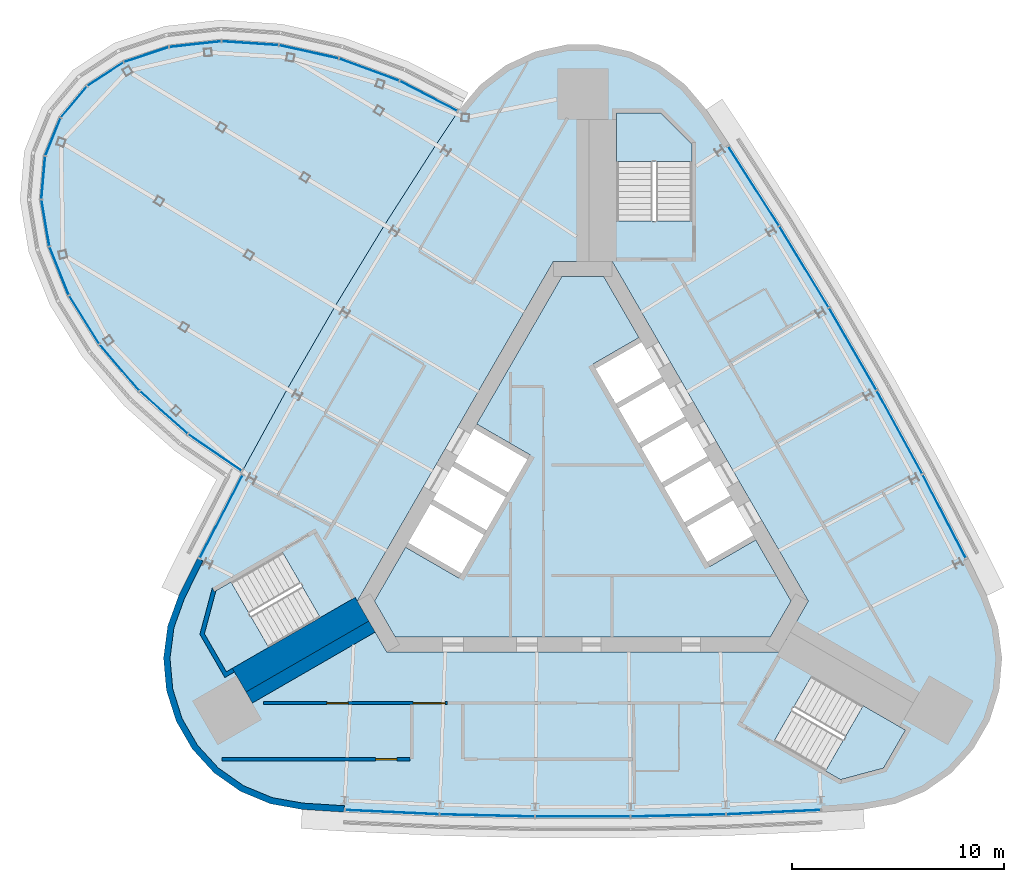
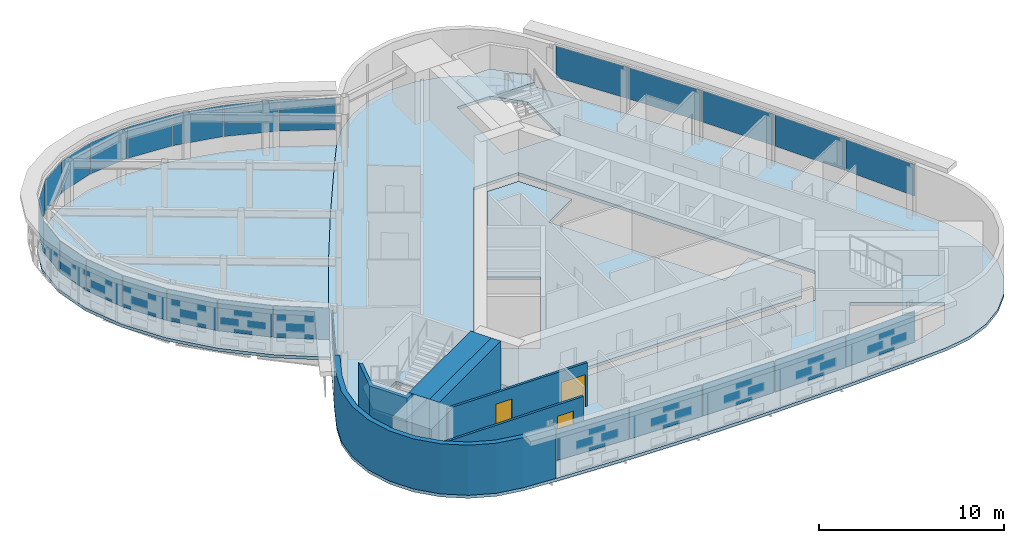
# One storey, part 8 of 13: 27 plates, 6 slabs, 6 walls, 3 doors, 3 openings, 7 elements without a shape of their own.
"""IFC4 building model written with IfcOpenShell, lengths in metres."""

from ifc_helpers import new_model, si_unit, direction, frame, frame_2d, origin, origin_2d, place, context, subcontext, project, spatial, polyline, rectangle, outline, extrude, material, layer, layer_set, type_object, element, fill, aggregate, save


model = new_model("IFC4")

# Units and contexts
model_context = context("Model", 3, precision=1e-05, world=origin(), true_north=direction((0.0, 1.0)))
body_context = subcontext(model_context, "Body", "Model", "MODEL_VIEW")
ifc_project = project(units=[si_unit("LENGTHUNIT", "METRE"), si_unit("AREAUNIT", "SQUARE_METRE"), si_unit("VOLUMEUNIT", "CUBIC_METRE"), si_unit("PLANEANGLEUNIT", "RADIAN"), si_unit("MASSUNIT", "GRAM", prefix="KILO")], contexts=[model_context])

# Site, building, storey
site_placement = place(None, origin())
site = spatial("IfcSite", under=ifc_project, at=site_placement, CompositionType="ELEMENT")
building_placement = place(site_placement, origin())
building = spatial("IfcBuilding", under=site, at=building_placement, Name="Noor Cloister Tower", CompositionType="ELEMENT")
storey_placement = place(building_placement, frame((0.0, 0.0, 270.60009765625)))
storey = spatial("IfcBuildingStorey", under=building, at=storey_placement, Name="L69", CompositionType="ELEMENT", Elevation=270.60009765625)

# Slabs
ifc_material_1 = material(Name="Concrete C40/50", Category="concrete")
ifc_layer_1 = layer(ifc_material_1, 0.199951171875)
ifc_layer_set_1 = layer_set([ifc_layer_1], Name="Core floor slab 200 C40/50")
slab_type_1 = type_object("IfcSlabType", Name="Core floor slab 200 C40/50", PredefinedType="FLOOR", material=ifc_layer_set_1)
slab_1_placement = place(storey_placement, frame((0.0, 0.0, -0.2001953125)))
element("IfcSlab", 1, at=slab_1_placement, inside=storey, type_object=slab_type_1, Name="Core floor L69", PredefinedType="FLOOR", context=body_context, shape_type="SweptSolid", body=[
    extrude(outline(polyline([(2.643798828125, 7.877197265625), (0.9814453125, 10.75634765625), (-0.9814453125, 10.75634765625), (-4.993896484375, 3.806884765625), (-2.482421875, 2.35693359375), (-5.832275390625, -3.4453125), (-8.34375, -1.995361328125), (-9.80615234375, -4.5283203125), (-8.82470703125, -6.228271484375), (8.82470703125, -6.228271484375), (9.80615234375, -4.5283203125), (8.143798828125, -1.64892578125), (5.978759765625, -2.89892578125), (0.478759765625, 6.627197265625), (2.643798828125, 7.877197265625)])), origin(), (0.0, 0.0, 1.0), 0.2001953125),
])
ifc_material_2 = material(Name="Concrete C40/50", Category="concrete")
ifc_layer_2 = layer(ifc_material_2, 0.199951171875)
ifc_layer_set_2 = layer_set([ifc_layer_2], Name="Floor slab 200 C40/50")
slab_type_2 = type_object("IfcSlabType", Name="Floor slab 200 C40/50", PredefinedType="FLOOR", material=ifc_layer_set_2)
slab_2_placement = place(storey_placement, frame((0.0, 0.0, -0.2001953125)))
element("IfcSlab", 2, at=slab_2_placement, inside=storey, type_object=slab_type_2, Name="Floor slab L69", PredefinedType="FLOOR", context=body_context, shape_type="SweptSolid", body=[
    extrude(outline(polyline([(5.809814453125, 18.609619140625), (4.830078125, 19.771484375), (3.62255859375, 20.69482421875), (2.244140625, 21.33544921875), (0.760009765625, 21.66357421875), (-0.760009765625, 21.66357421875), (-2.244140625, 21.33544921875), (-3.62255859375, 20.69482421875), (-4.830078125, 19.771484375), (-5.809814453125, 18.609619140625), (-6.9013671875, 16.967529296875), (-9.32958984375, 13.178955078125), (-11.669189453125, 9.335205078125), (-13.919189453125, 5.438232421875), (-16.078125, 1.489990234375), (-18.14501953125, -2.507080078125), (-19.021240234375, -4.2734375), (-19.53759765625, -5.702880859375), (-19.7333984375, -7.210205078125), (-19.59912109375, -8.724365234375), (-19.14111328125, -10.173583984375), (-18.381103515625, -11.489990234375), (-17.35498046875, -12.611083984375), (-16.11083984375, -13.484619140625), (-14.707763671875, -14.068603515625), (-13.21142578125, -14.336181640625), (-11.24365234375, -14.46044921875), (-6.74853515625, -14.669189453125), (-2.25, -14.7734375), (2.25, -14.7734375), (6.74853515625, -14.669189453125), (11.24365234375, -14.46044921875), (13.21142578125, -14.336181640625), (14.707763671875, -14.068603515625), (16.11083984375, -13.484619140625), (17.35498046875, -12.611083984375), (18.381103515625, -11.489990234375), (19.14111328125, -10.173583984375), (19.59912109375, -8.724365234375), (19.7333984375, -7.210205078125), (19.53759765625, -5.702880859375), (19.021240234375, -4.2734375), (18.14501953125, -2.507080078125), (16.078125, 1.489990234375), (13.919189453125, 5.438232421875), (11.669189453125, 9.335205078125), (9.32958984375, 13.178955078125), (6.9013671875, 16.967529296875), (5.809814453125, 18.609619140625)]), holes=[polyline([(8.999755859375, -11.126220703125), (12.131591796875, -12.934326171875), (14.1572265625, -12.3916015625), (15.19091796875, -10.601318359375), (10.774658203125, -8.0517578125), (8.999755859375, -11.126220703125)]), polyline([(-17.81005859375, -6.064697265625), (-16.776611328125, -7.85498046875), (-12.3603515625, -5.305419921875), (-14.13525390625, -2.23095703125), (-16.662841796875, -3.690185546875), (-17.267333984375, -4.039306640625), (-17.81005859375, -6.064697265625)]), polyline([(-10.6142578125, -4.5283203125), (-9.228759765625, -6.92822265625), (9.228759765625, -6.92822265625), (10.6142578125, -4.5283203125), (1.3857421875, 11.456298828125), (-1.3857421875, 11.456298828125), (-10.6142578125, -4.5283203125)]), polyline([(3.65283203125, 18.456298828125), (1.585693359375, 18.456298828125), (1.585693359375, 13.35693359375), (5.135498046875, 13.35693359375), (5.135498046875, 16.9736328125), (3.65283203125, 18.456298828125)])]), origin(), (0.0, 0.0, 1.0), 0.2001953125),
])

# Curtain wall, plate
ifc_material_3 = material(Name="Aluminium 6063-T6 anodised", Category="aluminium")
curtain_wall_type_1 = type_object("IfcCurtainWallType", Name="Ribbon curtain wall, upper tower CW5", PredefinedType="NOTDEFINED", material=ifc_material_3)
curtain_wall_1_placement = place(storey_placement, origin())
curtain_wall_1 = element("IfcCurtainWall", 3, at=curtain_wall_1_placement, inside=storey, type_object=curtain_wall_type_1, Name="CW5 L69 NW run 2", PredefinedType="NOTDEFINED")
ifc_material_4 = material(Name="Clear laminated glass 2 x 8 mm", Category="glass")
ifc_layer_3 = layer(ifc_material_4, 0.028076171875)
ifc_layer_set_3 = layer_set([ifc_layer_3], Name="Glass panel CW5")
plate_type_1 = type_object("IfcPlateType", Name="Glass panel CW5", PredefinedType="CURTAIN_PANEL", material=ifc_layer_set_3)
plate_1_placement = place(storey_placement, frame((-17.022705078125, -0.554443359375, 1.08984375), z_axis=(0.0, 0.0, 1.0), x_axis=(-0.459306247842, -0.888277980529, 0.0)))
plate_1 = element("IfcPlate", 4, at=plate_1_placement, type_object=plate_type_1, Name="CW5 glass panel 1", PredefinedType="CURTAIN_PANEL", context=body_context, shape_type="SweptSolid", body=[
    extrude(rectangle(XDim=4.3798828125, YDim=0.028076171875, at=origin_2d()), origin(), (0.0, 0.0, 1.0), 2.070068359375),
])
aggregate(curtain_wall_1, [plate_1])

# Curtain wall, plates
curtain_wall_2_placement = place(storey_placement, origin())
curtain_wall_2 = element("IfcCurtainWall", 5, at=curtain_wall_2_placement, inside=storey, type_object=curtain_wall_type_1, Name="CW5 L69 S run 3", PredefinedType="NOTDEFINED")
plate_2_placement = place(storey_placement, frame((-8.974609375, -14.465576171875, 1.08984375), z_axis=(0.0, 0.0, 1.0), x_axis=(0.998924420682, -0.046368111516, 0.0)))
plate_2 = element("IfcPlate", 6, at=plate_2_placement, type_object=plate_type_1, Name="CW5 glass panel 1", PredefinedType="CURTAIN_PANEL", context=body_context, shape_type="SweptSolid", body=[
    extrude(rectangle(XDim=4.413818359375, YDim=0.028076171875, at=origin_2d()), origin(), (0.0, 0.0, 1.0), 2.070068359375),
])
plate_3_placement = place(storey_placement, frame((-4.4970703125, -14.621337890625, 1.08984375), z_axis=(0.0, 0.0, 1.0), x_axis=(0.999731069009, -0.023190292346, 0.0)))
plate_3 = element("IfcPlate", 7, at=plate_3_placement, type_object=plate_type_1, Name="CW5 glass panel 2", PredefinedType="CURTAIN_PANEL", context=body_context, shape_type="SweptSolid", body=[
    extrude(rectangle(XDim=4.447509765625, YDim=0.028076171875, at=origin_2d()), origin(), (0.0, 0.0, 1.0), 2.070068359375),
])
plate_4_placement = place(storey_placement, frame((0.0, -14.673583984375, 1.08984375), z_axis=(0.0, 0.0, 1.0), x_axis=(1.0, 0.0, 0.0)))
plate_4 = element("IfcPlate", 8, at=plate_4_placement, type_object=plate_type_1, Name="CW5 glass panel 3", PredefinedType="CURTAIN_PANEL", context=body_context, shape_type="SweptSolid", body=[
    extrude(rectangle(XDim=4.447509765625, YDim=0.028076171875, at=origin_2d()), origin(), (0.0, 0.0, 1.0), 2.070068359375),
])
plate_5_placement = place(storey_placement, frame((4.4970703125, -14.621337890625, 1.08984375), z_axis=(0.0, 0.0, 1.0), x_axis=(0.999731069009, 0.023190292346, 0.0)))
plate_5 = element("IfcPlate", 9, at=plate_5_placement, type_object=plate_type_1, Name="CW5 glass panel 4", PredefinedType="CURTAIN_PANEL", context=body_context, shape_type="SweptSolid", body=[
    extrude(rectangle(XDim=4.447509765625, YDim=0.028076171875, at=origin_2d()), origin(), (0.0, 0.0, 1.0), 2.070068359375),
])
plate_6_placement = place(storey_placement, frame((8.974609375, -14.465576171875, 1.08984375), z_axis=(0.0, 0.0, 1.0), x_axis=(0.998924420682, 0.046368111516, 0.0)))
plate_6 = element("IfcPlate", 10, at=plate_6_placement, type_object=plate_type_1, Name="CW5 glass panel 5", PredefinedType="CURTAIN_PANEL", context=body_context, shape_type="SweptSolid", body=[
    extrude(rectangle(XDim=4.413818359375, YDim=0.028076171875, at=origin_2d()), origin(), (0.0, 0.0, 1.0), 2.070068359375),
])
aggregate(curtain_wall_2, [plate_2, plate_3, plate_4, plate_5, plate_6])

curtain_wall_3_placement = place(storey_placement, origin())
curtain_wall_3 = element("IfcCurtainWall", 11, at=curtain_wall_3_placement, inside=storey, type_object=curtain_wall_type_1, Name="CW5 L69 NE run 4", PredefinedType="NOTDEFINED")
plate_7_placement = place(storey_placement, frame((17.014892578125, -0.539306640625, 1.08984375), z_axis=(0.0, 0.0, 1.0), x_axis=(-0.459306247842, 0.888277980529, 0.0)))
plate_7 = element("IfcPlate", 12, at=plate_7_placement, type_object=plate_type_1, Name="CW5 glass panel 1", PredefinedType="CURTAIN_PANEL", context=body_context, shape_type="SweptSolid", body=[
    extrude(rectangle(XDim=4.413818359375, YDim=0.028076171875, at=origin_2d()), origin(), (0.0, 0.0, 1.0), 2.070068359375),
])
plate_8_placement = place(storey_placement, frame((14.910888671875, 3.416259765625, 1.08984375), z_axis=(0.0, 0.0, 1.0), x_axis=(-0.479782152211, 0.877387648887, 0.0)))
plate_8 = element("IfcPlate", 13, at=plate_8_placement, type_object=plate_type_1, Name="CW5 glass panel 2", PredefinedType="CURTAIN_PANEL", context=body_context, shape_type="SweptSolid", body=[
    extrude(rectangle(XDim=4.447509765625, YDim=0.028076171875, at=origin_2d()), origin(), (0.0, 0.0, 1.0), 2.070068359375),
])
plate_9_placement = place(storey_placement, frame((12.70751953125, 7.336669921875, 1.08984375), z_axis=(0.0, 0.0, 1.0), x_axis=(-0.5, 0.866025403784, 0.0)))
plate_9 = element("IfcPlate", 14, at=plate_9_placement, type_object=plate_type_1, Name="CW5 glass panel 3", PredefinedType="CURTAIN_PANEL", context=body_context, shape_type="SweptSolid", body=[
    extrude(rectangle(XDim=4.447509765625, YDim=0.028076171875, at=origin_2d()), origin(), (0.0, 0.0, 1.0), 2.070068359375),
])
plate_10_placement = place(storey_placement, frame((10.4140625, 11.205078125, 1.08984375), z_axis=(0.0, 0.0, 1.0), x_axis=(-0.519948916797, 0.854197356541, 0.0)))
plate_10 = element("IfcPlate", 15, at=plate_10_placement, type_object=plate_type_1, Name="CW5 glass panel 4", PredefinedType="CURTAIN_PANEL", context=body_context, shape_type="SweptSolid", body=[
    extrude(rectangle(XDim=4.447509765625, YDim=0.028076171875, at=origin_2d()), origin(), (0.0, 0.0, 1.0), 2.070068359375),
])
plate_11_placement = place(storey_placement, frame((8.040283203125, 15.005126953125, 1.08984375), z_axis=(0.0, 0.0, 1.0), x_axis=(-0.539618172839, 0.841909869013, 0.0)))
plate_11 = element("IfcPlate", 16, at=plate_11_placement, type_object=plate_type_1, Name="CW5 glass panel 5", PredefinedType="CURTAIN_PANEL", context=body_context, shape_type="SweptSolid", body=[
    extrude(rectangle(XDim=4.413818359375, YDim=0.028076171875, at=origin_2d()), origin(), (0.0, 0.0, 1.0), 2.070068359375),
])
aggregate(curtain_wall_3, [plate_7, plate_8, plate_9, plate_10, plate_11])

ifc_material_5 = material(Name="Aluminium 6063-T6 anodised", Category="aluminium")
curtain_wall_type_2 = type_object("IfcCurtainWallType", Name="Sky bar curtain wall, upper bars CW6", PredefinedType="NOTDEFINED", material=ifc_material_5)
curtain_wall_4_placement = place(storey_placement, origin())
curtain_wall_4 = element("IfcCurtainWall", 17, at=curtain_wall_4_placement, inside=storey, type_object=curtain_wall_type_2, Name="CW6 L69 NW sky bar run 1", PredefinedType="NOTDEFINED")
ifc_material_6 = material(Name="Clear laminated glass 2 x 8 mm", Category="glass")
ifc_layer_4 = layer(ifc_material_6, 0.028076171875)
ifc_layer_set_4 = layer_set([ifc_layer_4], Name="Glass panel CW6")
plate_type_2 = type_object("IfcPlateType", Name="Glass panel CW6", PredefinedType="CURTAIN_PANEL", material=ifc_layer_set_4)
plate_12_placement = place(storey_placement, frame((-7.25634765625, 19.248046875, 1.08984375), z_axis=(0.0, 0.0, 1.0), x_axis=(-0.887497668843, 0.46081220448, 0.0)))
plate_12 = element("IfcPlate", 18, at=plate_12_placement, type_object=plate_type_2, Name="CW6 glass panel 1", PredefinedType="CURTAIN_PANEL", context=body_context, shape_type="SweptSolid", body=[
    extrude(rectangle(XDim=3.035888671875, YDim=0.028076171875, at=origin_2d()), origin(), (0.0, 0.0, 1.0), 2.070068359375),
])
plate_13_placement = place(storey_placement, frame((-10.052734375, 20.485107421875, 1.08984375), z_axis=(0.0, 0.0, 1.0), x_axis=(-0.938254127528, 0.345946805414, 0.0)))
plate_13 = element("IfcPlate", 19, at=plate_13_placement, type_object=plate_type_2, Name="CW6 glass panel 2", PredefinedType="CURTAIN_PANEL", context=body_context, shape_type="SweptSolid", body=[
    extrude(rectangle(XDim=2.991455078125, YDim=0.028076171875, at=origin_2d()), origin(), (0.0, 0.0, 1.0), 2.070068359375),
])
plate_14_placement = place(storey_placement, frame((-12.89599609375, 21.32568359375, 1.08984375), z_axis=(0.0, 0.0, 1.0), x_axis=(-0.976240868082, 0.21668818031, 0.0)))
plate_14 = element("IfcPlate", 20, at=plate_14_placement, type_object=plate_type_2, Name="CW6 glass panel 3", PredefinedType="CURTAIN_PANEL", context=body_context, shape_type="SweptSolid", body=[
    extrude(rectangle(XDim=2.851318359375, YDim=0.028076171875, at=origin_2d()), origin(), (0.0, 0.0, 1.0), 2.070068359375),
])
plate_15_placement = place(storey_placement, frame((-15.6630859375, 21.730712890625, 1.08984375), z_axis=(0.0, 0.0, 1.0), x_axis=(-0.997749888553, 0.067045953586, 0.0)))
plate_15 = element("IfcPlate", 21, at=plate_15_placement, type_object=plate_type_2, Name="CW6 glass panel 4", PredefinedType="CURTAIN_PANEL", context=body_context, shape_type="SweptSolid", body=[
    extrude(rectangle(XDim=2.6572265625, YDim=0.028076171875, at=origin_2d()), origin(), (0.0, 0.0, 1.0), 2.070068359375),
])
plate_16_placement = place(storey_placement, frame((-18.24609375, 21.685791015625, 1.08984375), z_axis=(0.0, 0.0, 1.0), x_axis=(-0.993990018524, -0.109470740724, 0.0)))
plate_16 = element("IfcPlate", 22, at=plate_16_placement, type_object=plate_type_2, Name="CW6 glass panel 5", PredefinedType="CURTAIN_PANEL", context=body_context, shape_type="SweptSolid", body=[
    extrude(rectangle(XDim=2.4296875, YDim=0.028076171875, at=origin_2d()), origin(), (0.0, 0.0, 1.0), 2.070068359375),
])
plate_17_placement = place(storey_placement, frame((-20.545166015625, 21.194091796875, 1.08984375), z_axis=(0.0, 0.0, 1.0), x_axis=(-0.948576733439, -0.316547280479, 0.0)))
plate_17 = element("IfcPlate", 23, at=plate_17_placement, type_object=plate_type_2, Name="CW6 glass panel 6", PredefinedType="CURTAIN_PANEL", context=body_context, shape_type="SweptSolid", body=[
    extrude(rectangle(XDim=2.198486328125, YDim=0.028076171875, at=origin_2d()), origin(), (0.0, 0.0, 1.0), 2.070068359375),
])
plate_18_placement = place(storey_placement, frame((-22.47216796875, 20.277099609375, 1.08984375), z_axis=(0.0, 0.0, 1.0), x_axis=(-0.837596619091, -0.546289212493, 0.0)))
plate_18 = element("IfcPlate", 24, at=plate_18_placement, type_object=plate_type_2, Name="CW6 glass panel 7", PredefinedType="CURTAIN_PANEL", context=body_context, shape_type="SweptSolid", body=[
    extrude(rectangle(XDim=2.003662109375, YDim=0.028076171875, at=origin_2d()), origin(), (0.0, 0.0, 1.0), 2.070068359375),
])
plate_19_placement = place(storey_placement, frame((-23.955322265625, 18.971923828125, 1.08984375), z_axis=(0.0, 0.0, 1.0), x_axis=(-0.641814933059, -0.766859564524, 0.0)))
plate_19 = element("IfcPlate", 25, at=plate_19_placement, type_object=plate_type_2, Name="CW6 glass panel 8", PredefinedType="CURTAIN_PANEL", context=body_context, shape_type="SweptSolid", body=[
    extrude(rectangle(XDim=1.889892578125, YDim=0.028076171875, at=origin_2d()), origin(), (0.0, 0.0, 1.0), 2.070068359375),
])
plate_20_placement = place(storey_placement, frame((-24.94140625, 17.327880859375, 1.08984375), z_axis=(0.0, 0.0, 1.0), x_axis=(-0.374343937859, -0.927289931029, 0.0)))
plate_20 = element("IfcPlate", 26, at=plate_20_placement, type_object=plate_type_2, Name="CW6 glass panel 9", PredefinedType="CURTAIN_PANEL", context=body_context, shape_type="SweptSolid", body=[
    extrude(rectangle(XDim=1.889892578125, YDim=0.028076171875, at=origin_2d()), origin(), (0.0, 0.0, 1.0), 2.070068359375),
])
plate_21_placement = place(storey_placement, frame((-25.394775390625, 15.40478515625, 1.08984375), z_axis=(0.0, 0.0, 1.0), x_axis=(-0.087570690392, -0.996158307793, 0.0)))
plate_21 = element("IfcPlate", 27, at=plate_21_placement, type_object=plate_type_2, Name="CW6 glass panel 10", PredefinedType="CURTAIN_PANEL", context=body_context, shape_type="SweptSolid", body=[
    extrude(rectangle(XDim=2.003662109375, YDim=0.028076171875, at=origin_2d()), origin(), (0.0, 0.0, 1.0), 2.070068359375),
])
plate_22_placement = place(storey_placement, frame((-25.29638671875, 13.27294921875, 1.08984375), z_axis=(0.0, 0.0, 1.0), x_axis=(0.167365795308, -0.985894867905, 0.0)))
plate_22 = element("IfcPlate", 28, at=plate_22_placement, type_object=plate_type_2, Name="CW6 glass panel 11", PredefinedType="CURTAIN_PANEL", context=body_context, shape_type="SweptSolid", body=[
    extrude(rectangle(XDim=2.198486328125, YDim=0.028076171875, at=origin_2d()), origin(), (0.0, 0.0, 1.0), 2.070068359375),
])
plate_23_placement = place(storey_placement, frame((-24.647705078125, 11.01318359375, 1.08984375), z_axis=(0.0, 0.0, 1.0), x_axis=(0.371434842815, -0.928459023082, 0.0)))
plate_23 = element("IfcPlate", 29, at=plate_23_placement, type_object=plate_type_2, Name="CW6 glass panel 12", PredefinedType="CURTAIN_PANEL", context=body_context, shape_type="SweptSolid", body=[
    extrude(rectangle(XDim=2.4296875, YDim=0.028076171875, at=origin_2d()), origin(), (0.0, 0.0, 1.0), 2.070068359375),
])
plate_24_placement = place(storey_placement, frame((-23.470947265625, 8.713134765625, 1.08984375), z_axis=(0.0, 0.0, 1.0), x_axis=(0.528931307752, -0.848664640291, 0.0)))
plate_24 = element("IfcPlate", 30, at=plate_24_placement, type_object=plate_type_2, Name="CW6 glass panel 13", PredefinedType="CURTAIN_PANEL", context=body_context, shape_type="SweptSolid", body=[
    extrude(rectangle(XDim=2.6572265625, YDim=0.028076171875, at=origin_2d()), origin(), (0.0, 0.0, 1.0), 2.070068359375),
])
plate_25_placement = place(storey_placement, frame((-21.810791015625, 6.462890625, 1.08984375), z_axis=(0.0, 0.0, 1.0), x_axis=(0.650820994829, -0.759231211615, 0.0)))
plate_25 = element("IfcPlate", 31, at=plate_25_placement, type_object=plate_type_2, Name="CW6 glass panel 14", PredefinedType="CURTAIN_PANEL", context=body_context, shape_type="SweptSolid", body=[
    extrude(rectangle(XDim=2.851318359375, YDim=0.028076171875, at=origin_2d()), origin(), (0.0, 0.0, 1.0), 2.070068359375),
])
plate_26_placement = place(storey_placement, frame((-19.730712890625, 4.35009765625, 1.08984375), z_axis=(0.0, 0.0, 1.0), x_axis=(0.746969510191, -0.664858293808, 0.0)))
plate_26 = element("IfcPlate", 32, at=plate_26_placement, type_object=plate_type_2, Name="CW6 glass panel 15", PredefinedType="CURTAIN_PANEL", context=body_context, shape_type="SweptSolid", body=[
    extrude(rectangle(XDim=2.991455078125, YDim=0.028076171875, at=origin_2d()), origin(), (0.0, 0.0, 1.0), 2.070068359375),
])
plate_27_placement = place(storey_placement, frame((-17.322509765625, 2.465576171875, 1.08984375), z_axis=(0.0, 0.0, 1.0), x_axis=(0.824407561067, -0.565996619473, 0.0)))
plate_27 = element("IfcPlate", 33, at=plate_27_placement, type_object=plate_type_2, Name="CW6 glass panel 16", PredefinedType="CURTAIN_PANEL", context=body_context, shape_type="SweptSolid", body=[
    extrude(rectangle(XDim=3.035888671875, YDim=0.028076171875, at=origin_2d()), origin(), (0.0, 0.0, 1.0), 2.070068359375),
])
aggregate(curtain_wall_4, [plate_12, plate_13, plate_14, plate_15, plate_16, plate_17, plate_18, plate_19, plate_20, plate_21, plate_22, plate_23, plate_24, plate_25, plate_26, plate_27])

# Slab
ifc_material_7 = material(Name="Concrete C40/50", Category="concrete")
ifc_layer_5 = layer(ifc_material_7, 0.199951171875)
ifc_layer_set_5 = layer_set([ifc_layer_5], Name="Pod floor slab 200")
slab_type_3 = type_object("IfcSlabType", Name="Pod floor slab 200", PredefinedType="FLOOR", material=ifc_layer_set_5)
slab_3_placement = place(storey_placement, frame((0.0, 0.0, -0.2001953125)))
element("IfcSlab", 34, at=slab_3_placement, inside=storey, type_object=slab_type_3, Name="Pod floor slab L69", PredefinedType="FLOOR", context=body_context, shape_type="SweptSolid", body=[
    extrude(outline(polyline([(-5.809814453125, 18.609619140625), (-8.585205078125, 20.05078125), (-11.451416015625, 21.107421875), (-14.298095703125, 21.7392578125), (-17.015869140625, 21.921875), (-19.500244140625, 21.6484375), (-21.65576171875, 20.928955078125), (-23.399658203125, 19.79150390625), (-24.6650390625, 18.27978515625), (-25.403076171875, 16.45166015625), (-25.58544921875, 14.377685546875), (-25.205078125, 12.13720703125), (-24.276611328125, 9.816650390625), (-22.8359375, 7.5048828125), (-20.938232421875, 5.291015625), (-18.65625, 3.260009765625), (-16.078125, 1.489990234375), (-13.919189453125, 5.438232421875), (-11.669189453125, 9.335205078125), (-9.32958984375, 13.178955078125), (-6.9013671875, 16.967529296875), (-5.809814453125, 18.609619140625)])), origin(), (0.0, 0.0, 1.0), 0.2001953125),
])

# Stair, slab
ifc_material_8 = material(Name="Concrete C40/50", Category="concrete")
stair_type = type_object("IfcStairType", Name="Exit stair 22 risers", PredefinedType="HALF_TURN_STAIR", material=ifc_material_8)
stair_1_placement = place(storey_placement, origin())
stair_1 = element("IfcStair", 35, at=stair_1_placement, inside=storey, type_object=stair_type, Name="Exit stair ST1 L69", PredefinedType="HALF_TURN_STAIR")
ifc_material_9 = material(Name="Concrete C40/50", Category="concrete")
ifc_layer_6 = layer(ifc_material_9, 0.199951171875)
ifc_layer_set_6 = layer_set([ifc_layer_6], Name="Stair landing 200 C40/50")
slab_type_4 = type_object("IfcSlabType", Name="Stair landing 200 C40/50", PredefinedType="LANDING", material=ifc_layer_set_6)
slab_4_placement = place(storey_placement, frame((0.0, 0.0, 1.599853515625)))
slab_4 = element("IfcSlab", 36, at=slab_4_placement, type_object=slab_type_4, Name="ST1 landing 1", PredefinedType="LANDING", context=body_context, shape_type="SweptSolid", body=[
    extrude(outline(polyline([(5.135498046875, 16.15576171875), (5.135498046875, 16.9736328125), (3.65283203125, 18.456298828125), (1.585693359375, 18.456298828125), (1.585693359375, 16.15576171875), (5.135498046875, 16.15576171875)])), origin(), (0.0, 0.0, 1.0), 0.199951171875),
])
aggregate(stair_1, [slab_4])

stair_2_placement = place(storey_placement, origin())
stair_2 = element("IfcStair", 37, at=stair_2_placement, inside=storey, type_object=stair_type, Name="Exit stair ST2 L69", PredefinedType="HALF_TURN_STAIR")
slab_5_placement = place(storey_placement, frame((0.0, 0.0, 1.599853515625)))
slab_5 = element("IfcSlab", 38, at=slab_5_placement, type_object=slab_type_4, Name="ST2 landing 1", PredefinedType="LANDING", context=body_context, shape_type="SweptSolid", body=[
    extrude(outline(polyline([(-16.55908203125, -3.63037109375), (-17.267333984375, -4.039306640625), (-17.81005859375, -6.064697265625), (-16.776611328125, -7.85498046875), (-14.7841796875, -6.70458984375), (-16.55908203125, -3.63037109375)])), origin(), (0.0, 0.0, 1.0), 0.199951171875),
])
aggregate(stair_2, [slab_5])

stair_3_placement = place(storey_placement, origin())
stair_3 = element("IfcStair", 39, at=stair_3_placement, inside=storey, type_object=stair_type, Name="Exit stair ST3 L69", PredefinedType="HALF_TURN_STAIR")
slab_6_placement = place(storey_placement, frame((0.0, 0.0, 1.599853515625)))
slab_6 = element("IfcSlab", 40, at=slab_6_placement, type_object=slab_type_4, Name="ST3 landing 1", PredefinedType="LANDING", context=body_context, shape_type="SweptSolid", body=[
    extrude(outline(polyline([(11.423583984375, -12.525390625), (12.131591796875, -12.934326171875), (14.1572265625, -12.3916015625), (15.19091796875, -10.601318359375), (13.198486328125, -9.451171875), (11.423583984375, -12.525390625)])), origin(), (0.0, 0.0, 1.0), 0.199951171875),
])
aggregate(stair_3, [slab_6])

# Wall
ifc_material_10 = material(Name="Concrete C60/75", Category="concrete")
ifc_layer_7 = layer(ifc_material_10, 0.60009765625)
ifc_layer_set_7 = layer_set([ifc_layer_7], Name="Buttress wall 600 C60/75")
wall_type_1 = type_object("IfcWallType", Name="Buttress wall 600 C60/75", PredefinedType="SHEAR", material=ifc_layer_set_7)
wall_1_placement = place(storey_placement, frame((-9.921630859375, -5.728271484375, -0.2001953125), z_axis=(0.0, 0.0, 1.0), x_axis=(-0.866032176823, -0.499988268569, 0.0)))
element("IfcWall", 41, at=wall_1_placement, inside=storey, type_object=wall_type_1, Name="Buttress wall SW L69", PredefinedType="SHEAR", context=body_context, shape_type="SweptSolid", body=[
    extrude(rectangle(XDim=6.678466796875, YDim=0.60009765625, at=frame_2d((3.33935546875, 0.0))), origin(), (0.0, 0.0, 1.0), 3.60009765625),
])

# Wall, openings, doors
ifc_material_11 = material(Name="Gypsum board partition on steel studs, 150 mm", Category="steel")
ifc_layer_8 = layer(ifc_material_11, 0.14990234375)
ifc_layer_set_8 = layer_set([ifc_layer_8], Name="Flat wall 150")
wall_type_2 = type_object("IfcWallType", Name="Flat wall 150", PredefinedType="PARTITIONING", material=ifc_layer_set_8)
wall_2_placement = place(storey_placement, frame((-15.03515625, -9.328125, 0.0), z_axis=(0.0, 0.0, 1.0), x_axis=(1.0, 0.0, 0.0)))
wall_2 = element("IfcWall", 42, at=wall_2_placement, inside=storey, type_object=wall_type_2, Name="Wall L69-W11", PredefinedType="PARTITIONING", context=body_context, shape_type="SweptSolid", body=[
    extrude(rectangle(XDim=8.672607421875, YDim=0.14990234375, at=frame_2d((4.33642578125, 0.0))), origin(), (0.0, 0.0, 1.0), 2.851806640625),
])
opening_1_placement = place(wall_2_placement, frame((7.051513671875, 0.0, 0.0)))
opening_1 = element("IfcOpeningElement", 43, at=opening_1_placement, cuts=wall_2, Name="Opening L69-007", PredefinedType="OPENING", context=body_context, shape_type="SweptSolid", body=[
    extrude(rectangle(XDim=1.5, YDim=2.10009765625, at=frame_2d((0.75, 1.050048828125))), frame((0.0, 0.0849609375, 0.0), z_axis=(0.0, -1.0, 0.0), x_axis=(1.0, 0.0, 0.0)), (0.0, 0.0, 1.0), 0.169921875),
])
opening_2_placement = place(wall_2_placement, frame((2.990234375, 0.0, 0.0)))
opening_2 = element("IfcOpeningElement", 44, at=opening_2_placement, cuts=wall_2, Name="Opening L69-009", PredefinedType="OPENING", context=body_context, shape_type="SweptSolid", body=[
    extrude(rectangle(XDim=1.0, YDim=2.10009765625, at=frame_2d((0.5, 1.050048828125))), frame((0.0, 0.0849609375, 0.0), z_axis=(0.0, -1.0, 0.0), x_axis=(1.0, 0.0, 0.0)), (0.0, 0.0, 1.0), 0.169921875),
])
ifc_material_12 = material(Name="Timber door leaf with steel frame", Category="steel")
door_type_1 = type_object("IfcDoorType", Name="Double door 1500 FD60", OperationType="NOTDEFINED", PredefinedType="DOOR", material=ifc_material_12)
door_1_placement = place(opening_1_placement, origin())
door_1 = element("IfcDoor", 45, at=door_1_placement, inside=storey, type_object=door_type_1, Name="Door L69-007", OperationType="DOUBLE_DOOR_SINGLE_SWING", OverallHeight=2.10009765625, OverallWidth=1.5, PredefinedType="DOOR", context=body_context, shape_type="SweptSolid", body=[
    extrude(rectangle(XDim=1.5, YDim=2.10009765625, at=frame_2d((0.75, 1.050048828125))), frame((0.0, 0.02490234375, 0.0), z_axis=(0.0, -1.0, 0.0), x_axis=(1.0, 0.0, 0.0)), (0.0, 0.0, 1.0), 0.050048828125),
])
fill(opening_1, door_1)
ifc_material_13 = material(Name="Timber door leaf with steel frame", Category="steel")
door_type_2 = type_object("IfcDoorType", Name="Interior door 1000 FD60", OperationType="NOTDEFINED", PredefinedType="DOOR", material=ifc_material_13)
door_2_placement = place(opening_2_placement, origin())
door_2 = element("IfcDoor", 46, at=door_2_placement, inside=storey, type_object=door_type_2, Name="Door L69-009", OperationType="SINGLE_SWING_LEFT", OverallHeight=2.10009765625, OverallWidth=1.0, PredefinedType="DOOR", context=body_context, shape_type="SweptSolid", body=[
    extrude(rectangle(XDim=1.0, YDim=2.10009765625, at=frame_2d((0.5, 1.050048828125))), frame((0.0, 0.02490234375, 0.0), z_axis=(0.0, -1.0, 0.0), x_axis=(1.0, 0.0, 0.0)), (0.0, 0.0, 1.0), 0.050048828125),
])
fill(opening_2, door_2)

# Wall, opening, door
wall_3_placement = place(storey_placement, frame((-16.990966796875, -11.97216796875, 0.0), z_axis=(0.0, 0.0, 1.0), x_axis=(1.0, 0.0, 0.0)))
wall_3 = element("IfcWall", 47, at=wall_3_placement, inside=storey, type_object=wall_type_2, Name="Wall L69-W17", PredefinedType="PARTITIONING", context=body_context, shape_type="SweptSolid", body=[
    extrude(rectangle(XDim=8.861083984375, YDim=0.14990234375, at=frame_2d((4.4306640625, 0.0))), origin(), (0.0, 0.0, 1.0), 2.851806640625),
])
opening_3_placement = place(wall_3_placement, frame((7.236083984375, 0.0, 0.0)))
opening_3 = element("IfcOpeningElement", 48, at=opening_3_placement, cuts=wall_3, Name="Opening L69-008", PredefinedType="OPENING", context=body_context, shape_type="SweptSolid", body=[
    extrude(rectangle(XDim=1.0, YDim=2.10009765625, at=frame_2d((0.5, 1.050048828125))), frame((0.0, 0.0849609375, 0.0), z_axis=(0.0, -1.0, 0.0), x_axis=(1.0, 0.0, 0.0)), (0.0, 0.0, 1.0), 0.169921875),
])
door_3_placement = place(opening_3_placement, origin())
door_3 = element("IfcDoor", 49, at=door_3_placement, inside=storey, type_object=door_type_2, Name="Door L69-008", OperationType="SINGLE_SWING_RIGHT", OverallHeight=2.10009765625, OverallWidth=1.0, PredefinedType="DOOR", context=body_context, shape_type="SweptSolid", body=[
    extrude(rectangle(XDim=1.0, YDim=2.10009765625, at=frame_2d((0.5, 1.050048828125))), frame((0.0, 0.02490234375, 0.0), z_axis=(0.0, -1.0, 0.0), x_axis=(1.0, 0.0, 0.0)), (0.0, 0.0, 1.0), 0.050048828125),
])
fill(opening_3, door_3)

# Walls
ifc_material_14 = material(Name="Limestone", Category="masonry")
ifc_layer_9 = layer(ifc_material_14, 0.300048828125)
ifc_layer_set_9 = layer_set([ifc_layer_9], Name="Limestone cladding 300")
wall_type_3 = type_object("IfcWallType", Name="Limestone cladding 300", PredefinedType="NOTDEFINED", material=ifc_layer_set_9)
wall_4_placement = place(storey_placement, origin())
element("IfcWall", 50, at=wall_4_placement, inside=storey, type_object=wall_type_3, Name="Limestone pier cladding L69 1.1", PredefinedType="NOTDEFINED", context=body_context, shape_type="SweptSolid", body=[
    extrude(outline(polyline([(-18.14501953125, -2.507080078125), (-19.021240234375, -4.2734375), (-19.53759765625, -5.702880859375), (-19.7333984375, -7.210205078125), (-19.59912109375, -8.724365234375), (-19.14111328125, -10.173583984375), (-18.381103515625, -11.489990234375), (-17.35498046875, -12.611083984375), (-16.11083984375, -13.484619140625), (-14.707763671875, -14.068603515625), (-13.21142578125, -14.336181640625), (-11.24365234375, -14.46044921875), (-11.224853515625, -14.1611328125), (-13.175537109375, -14.037841796875), (-14.62255859375, -13.779052734375), (-15.96533203125, -13.22021484375), (-17.15576171875, -12.384521484375), (-18.1376953125, -11.3115234375), (-18.864990234375, -10.052001953125), (-19.30322265625, -8.6650390625), (-19.431640625, -7.21630859375), (-19.244384765625, -5.77392578125), (-18.744873046875, -4.391357421875), (-17.876220703125, -2.640380859375), (-18.14501953125, -2.507080078125)])), origin(), (0.0, 0.0, 1.0), 3.2998046875),
])
ifc_material_15 = material(Name="Concrete C60/75", Category="concrete")
ifc_layer_10 = layer(ifc_material_15, 1.285888671875)
ifc_layer_set_10 = layer_set([ifc_layer_10], Name="Stair enclosure wall 1286 C60/75")
wall_type_4 = type_object("IfcWallType", Name="Stair enclosure wall 1286 C60/75", PredefinedType="SHEAR", material=ifc_layer_set_10)
wall_5_placement = place(storey_placement, frame((-10.392822265625, -4.91162109375, -0.2001953125), z_axis=(0.0, 0.0, 1.0), x_axis=(-0.866025486527, -0.499999856685, 0.0)))
element("IfcWall", 51, at=wall_5_placement, inside=storey, type_object=wall_type_4, Name="Stair enclosure wall ST2 L69 riser side", PredefinedType="SHEAR", context=body_context, shape_type="SweptSolid", body=[
    extrude(rectangle(XDim=6.6787109375, YDim=1.28564453125, at=frame_2d((3.33935546875, 0.0))), origin(), (0.0, 0.0, 1.0), 3.60009765625),
])
ifc_material_16 = material(Name="Concrete C60/75", Category="concrete")
wall_type_5 = type_object("IfcWallType", Name="Stair far end wall C60/75", PredefinedType="SHEAR", material=ifc_material_16)
wall_6_placement = place(storey_placement, frame((0.0, 0.0, -0.2001953125)))
element("IfcWall", 52, at=wall_6_placement, inside=storey, type_object=wall_type_5, Name="Stair enclosure wall ST2 L69 far end", PredefinedType="SHEAR", context=body_context, shape_type="SweptSolid", body=[
    extrude(outline(polyline([(-17.439208984375, -3.907470703125), (-18.024658203125, -6.093017578125), (-16.849609375, -8.128173828125), (-16.398193359375, -7.867431640625), (-16.498291015625, -7.6943359375), (-16.498291015625, -7.6943359375), (-16.776611328125, -7.85498046875), (-17.81005859375, -6.064697265625), (-17.267333984375, -4.039306640625), (-17.339111328125, -4.08056640625), (-17.339111328125, -4.08056640625), (-17.339111328125, -4.08056640625), (-17.339111328125, -4.08056640625), (-17.339111328125, -4.08056640625), (-17.339111328125, -4.08056640625), (-17.339111328125, -4.08056640625), (-17.339111328125, -4.08056640625), (-17.339111328125, -4.08056640625), (-17.339111328125, -4.08056640625), (-17.339111328125, -4.08056640625), (-17.339111328125, -4.08056640625), (-17.339111328125, -4.08056640625), (-17.339111328125, -4.08056640625), (-17.339111328125, -4.08056640625), (-17.339111328125, -4.08056640625), (-17.339111328125, -4.08056640625), (-17.439208984375, -3.907470703125)])), origin(), (0.0, 0.0, 1.0), 3.60009765625),
])

save(model, "model.ifc")
